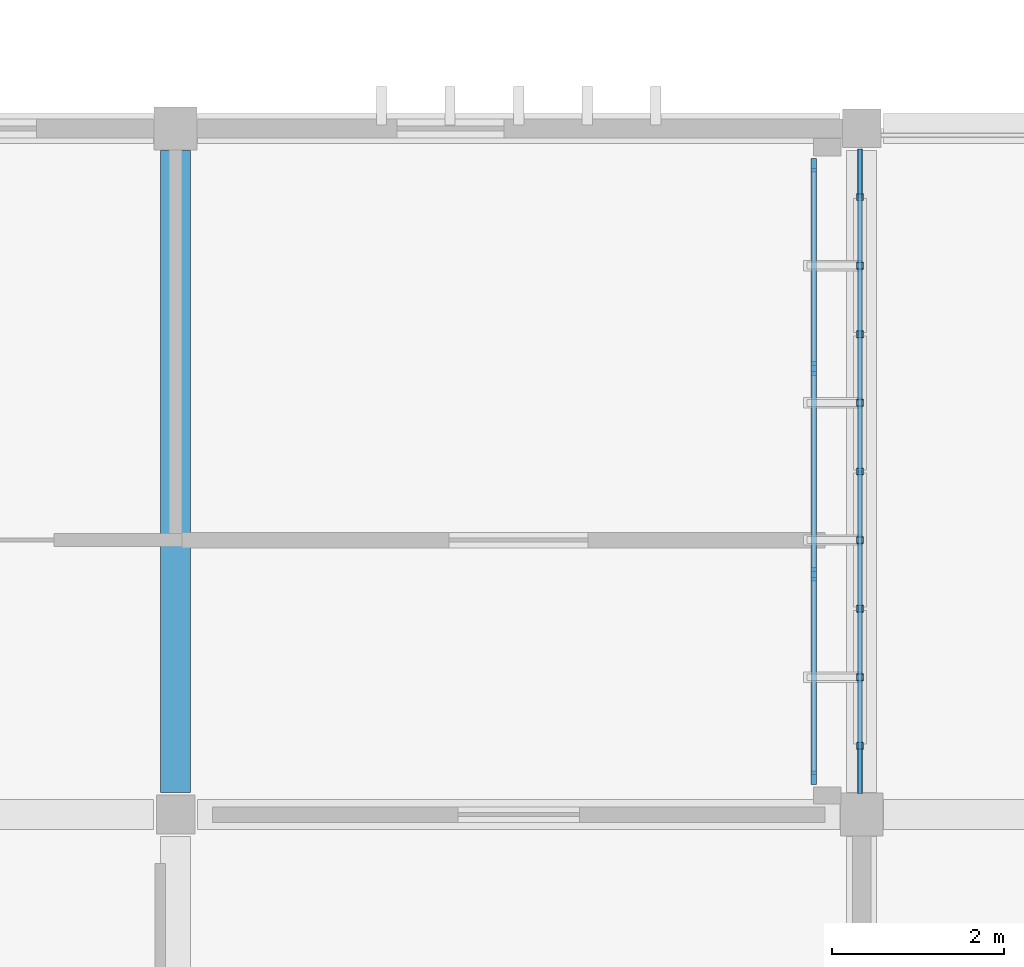
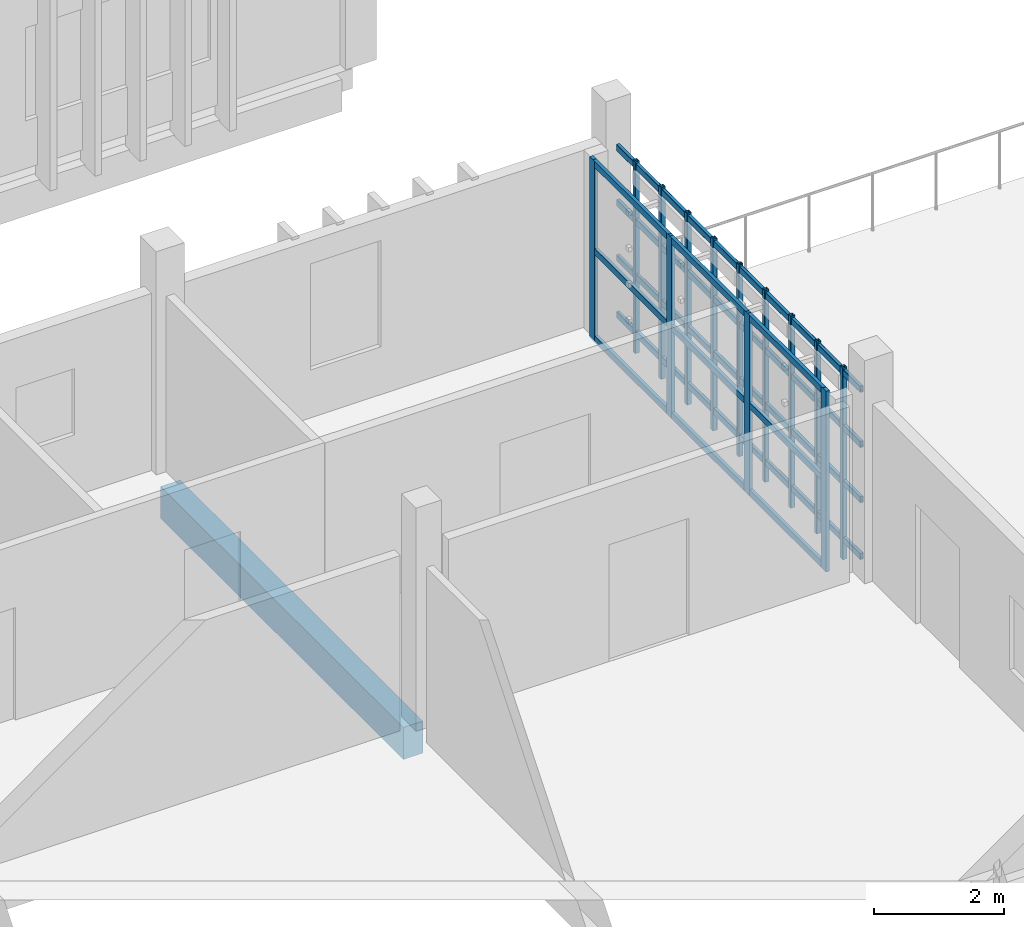
# One storey, part 12 of 32: 26 members, 1 beam, 1 element without a shape of its own.
"""IFC4 building model written with IfcOpenShell, lengths in metres."""

import ifcopenshell
import ifcopenshell.guid

model = None  # the IFC model being written
_history = None  # IfcOwnerHistory: only IFC2X3 demands one
_inside = {}  # id of a spatial element -> (the spatial element, [elements in it])
_under = {}  # id of a project, library or spatial element -> (it, [spatial elements below it])
_declared = {}  # id of a project -> (the project, [libraries it declares])
_typed = {}  # id of a type object -> (the type object, [elements of that type])
_made_of = {}  # id of a material, layer set ... -> (it, [elements and type objects made of it])


def new_model(schema):
    """Start an empty IFC model of exactly this schema.

    Asked for "IFC4X3", IfcOpenShell would pick the latest addendum, in which some entities
    have other attributes; the version numbers below select the first issue.
    IFC2X3 requires an IfcOwnerHistory on every rooted entity: one is made here for all.
    """
    global model, _history
    if schema == "IFC4X3":
        model = ifcopenshell.file(schema_version=(4, 3, 0, 0))
    else:
        model = ifcopenshell.file(schema=schema)
    _inside.clear()
    _under.clear()
    _declared.clear()
    _typed.clear()
    _made_of.clear()
    _history = None
    if model.schema == "IFC2X3":
        org = make("IfcOrganization", Name="unknown")
        user = make(
            "IfcPersonAndOrganization",
            ThePerson=make("IfcPerson", FamilyName="unknown"),
            TheOrganization=org,
        )
        app = make(
            "IfcApplication",
            ApplicationDeveloper=org,
            Version="unknown",
            ApplicationFullName="unknown",
            ApplicationIdentifier="unknown",
        )
        _history = make(
            "IfcOwnerHistory",
            OwningUser=user,
            OwningApplication=app,
            ChangeAction="ADDED",
            CreationDate=0,
        )
    return model


def make(cls, **values):
    """One entity of the class cls with the attributes given. An attribute that is None is left unset."""
    return model.create_entity(
        cls, **{name: value for name, value in values.items() if value is not None}
    )


def rooted(cls, **values):
    """An entity with a GlobalId (a new one), such as an element, a storey or a relation."""
    return make(cls, GlobalId=ifcopenshell.guid.new(), OwnerHistory=_history, **values)


def si_unit(unit_type, name, prefix=None):
    """IfcSIUnit, for example si_unit("LENGTHUNIT", "METRE", prefix="MILLI")."""
    return make("IfcSIUnit", UnitType=unit_type, Prefix=prefix, Name=name)


def assignment(units):
    """IfcUnitAssignment: the units of a project."""
    return None if units is None else make("IfcUnitAssignment", Units=units)


def point(xyz):
    """IfcCartesianPoint."""
    return None if xyz is None else make("IfcCartesianPoint", Coordinates=xyz)


def direction(xyz):
    """IfcDirection."""
    return None if xyz is None else make("IfcDirection", DirectionRatios=xyz)


def frame(location, z_axis=None, x_axis=None):
    """IfcAxis2Placement3D, a coordinate frame: its origin and axes. An axis left out is left unset."""
    return make(
        "IfcAxis2Placement3D",
        Location=point(location),
        Axis=direction(z_axis),
        RefDirection=direction(x_axis),
    )


def frame_2d(location, x_axis=None):
    """IfcAxis2Placement2D, a coordinate frame in the plane: its origin and x axis."""
    return make(
        "IfcAxis2Placement2D", Location=point(location), RefDirection=direction(x_axis)
    )


def origin():
    """The frame at (0, 0, 0) with its axes left unset."""
    return frame((0.0, 0.0, 0.0))


def origin_2d():
    """The frame at (0, 0) in the plane with its x axis left unset."""
    return frame_2d((0.0, 0.0))


def place(relative_to, where):
    """IfcLocalPlacement: puts the frame where relative to a parent placement (None: the world)."""
    return make(
        "IfcLocalPlacement", PlacementRelTo=relative_to, RelativePlacement=where
    )


def context(
    kind, dimensions, precision=None, world=None, true_north=None, identifier=None
):
    """IfcGeometricRepresentationContext, for example the 3D "Model" context."""
    return make(
        "IfcGeometricRepresentationContext",
        ContextIdentifier=identifier,
        ContextType=kind,
        CoordinateSpaceDimension=dimensions,
        Precision=precision,
        WorldCoordinateSystem=world,
        TrueNorth=true_north,
    )


def subcontext(parent, identifier, kind, view, scale=None):
    """IfcGeometricRepresentationSubContext, for example "Body" below "Model"."""
    return make(
        "IfcGeometricRepresentationSubContext",
        ContextIdentifier=identifier,
        ContextType=kind,
        ParentContext=parent,
        TargetScale=scale,
        TargetView=view,
    )


def project(units=None, contexts=None):
    """IfcProject with its units and contexts."""
    return rooted(
        "IfcProject",
        Name="project",
        RepresentationContexts=contexts,
        UnitsInContext=assignment(units),
    )


def spatial(cls, under=None, at=None, **own):
    """A site, building, storey or space (cls), placed at a placement, below another one or the project."""
    s = rooted(cls, ObjectPlacement=at, **own)
    if under is not None:
        _under.setdefault(under.id(), (under, []))[1].append(s)
    return s


def profile(cls, at=None, kind="AREA", **sizes):
    """A parametric profile (cls). Its sizes go by their IFC names, for example OverallWidth=200.0."""
    return make(cls, ProfileType=kind, Position=at, **sizes)


def rectangle(**sizes):
    """IfcRectangleProfileDef."""
    return profile("IfcRectangleProfileDef", **sizes)


def hollow_rectangle(**sizes):
    """IfcRectangleHollowProfileDef."""
    return profile("IfcRectangleHollowProfileDef", **sizes)


def extrude(swept, where, along, depth):
    """IfcExtrudedAreaSolid: the profile swept, set in the frame where, extruded along a direction by depth."""
    return make(
        "IfcExtrudedAreaSolid",
        SweptArea=swept,
        Position=where,
        ExtrudedDirection=direction(along),
        Depth=depth,
    )


def shape(context_of_items, identifier, shape_type, items):
    """IfcShapeRepresentation: the items that make up one representation, for example the "Body"."""
    return make(
        "IfcShapeRepresentation",
        ContextOfItems=context_of_items,
        RepresentationIdentifier=identifier,
        RepresentationType=shape_type,
        Items=items,
    )


def material(Name=None, Category=None):
    """IfcMaterial."""
    return make("IfcMaterial", Name=Name, Category=Category)


def layer(
    of_material, thickness, ventilated=None, Name=None, Category=None, Priority=None
):
    """IfcMaterialLayer: one layer of a wall or slab, of a material (None: an air gap)."""
    return make(
        "IfcMaterialLayer",
        Material=of_material,
        LayerThickness=thickness,
        IsVentilated=ventilated,
        Name=Name,
        Category=Category,
        Priority=Priority,
    )


def layer_set(layers, Name=None):
    """IfcMaterialLayerSet."""
    return make("IfcMaterialLayerSet", MaterialLayers=layers, LayerSetName=Name)


def material_profile(
    of_material, cross_section, Name=None, Category=None, Priority=None
):
    """IfcMaterialProfile: a cross section and its material."""
    return make(
        "IfcMaterialProfile",
        Name=Name,
        Material=of_material,
        Profile=cross_section,
        Priority=Priority,
        Category=Category,
    )


def profile_set(profiles, Name=None, composite=None):
    """IfcMaterialProfileSet."""
    return make(
        "IfcMaterialProfileSet",
        Name=Name,
        MaterialProfiles=profiles,
        CompositeProfile=composite,
    )


def made_of(thing, what):
    """Note that an element or type object is made of a material, layer set ...; save() writes the relation."""
    if what is not None:
        _made_of.setdefault(what.id(), (what, []))[1].append(thing)
    return thing


def type_object(cls, material=None, **own):
    """A type object (cls), such as IfcWallType, which elements share."""
    return made_of(rooted(cls, **own), material)


def element(
    cls,
    number,
    at=None,
    inside=None,
    cuts=None,
    type_object=None,
    material=None,
    context=None,
    identifier="Body",
    shape_type=None,
    held_by="IfcProductDefinitionShape",
    body=None,
    shapes=None,
    **own,
):
    """One element of the class cls, such as IfcWall. Its Tag is "e" and its number.

    at: its placement. inside: the storey or other place that contains it. cuts: it is an
    opening in that element (IfcRelVoidsElement). A single representation is given by context,
    identifier, shape_type and body (its items); several are given by shapes. held_by: the class
    of the entity that holds the representations. save() writes the other relations.
    """
    e = rooted(cls, Tag="e%d" % number, ObjectPlacement=at, **own)
    if body is not None:
        shapes = [shape(context, identifier, shape_type, body)]
    if shapes is not None:
        e.Representation = make(held_by, Representations=shapes)
    if inside is not None:
        _inside.setdefault(inside.id(), (inside, []))[1].append(e)
    if cuts is not None:
        rooted(
            "IfcRelVoidsElement", RelatingBuildingElement=cuts, RelatedOpeningElement=e
        )
    if type_object is not None:
        _typed.setdefault(type_object.id(), (type_object, []))[1].append(e)
    return made_of(e, material)


def aggregate(whole, parts):
    """IfcRelAggregates: a whole, such as a stair, and the parts it consists of."""
    return rooted("IfcRelAggregates", RelatingObject=whole, RelatedObjects=parts)


def save(model, path):
    """Write the relations noted so far, then the file.

    IfcRelAggregates (storeys below a building ...), IfcRelContainedInSpatialStructure (elements
    in a storey), IfcRelDefinesByType, IfcRelAssociatesMaterial and IfcRelDeclares: one each for
    every whole, place, type object, material and project.
    """
    for whole, parts in _under.values():
        aggregate(whole, parts)
    for where, things in _inside.values():
        rooted(
            "IfcRelContainedInSpatialStructure",
            RelatedElements=things,
            RelatingStructure=where,
        )
    for kind, things in _typed.values():
        rooted("IfcRelDefinesByType", RelatedObjects=things, RelatingType=kind)
    for what, things in _made_of.values():
        rooted("IfcRelAssociatesMaterial", RelatedObjects=things, RelatingMaterial=what)
    for by, libraries in _declared.values():
        rooted("IfcRelDeclares", RelatingContext=by, RelatedDefinitions=libraries)
    model.write(path)


model = new_model("IFC4")

# Units and contexts
model_context = context("Model", 3, precision=1e-05, world=origin(), true_north=direction((0.0, 1.0)))
body_context = subcontext(model_context, "Body", "Model", "MODEL_VIEW")
ifc_project = project(units=[si_unit("LENGTHUNIT", "METRE"), si_unit("AREAUNIT", "SQUARE_METRE"), si_unit("VOLUMEUNIT", "CUBIC_METRE"), si_unit("PLANEANGLEUNIT", "RADIAN"), si_unit("MASSUNIT", "GRAM", prefix="KILO")], contexts=[model_context])

# Site, building, storey
site_placement = place(None, origin())
site = spatial("IfcSite", under=ifc_project, at=site_placement, CompositionType="ELEMENT")
building_placement = place(site_placement, origin())
building = spatial("IfcBuilding", under=site, at=building_placement, Name="Jelvoka-Kovrelna Polytechnic", CompositionType="ELEMENT")
storey_placement = place(building_placement, frame((0.0, 0.0, 26.39990234375)))
storey = spatial("IfcBuildingStorey", under=building, at=storey_placement, Name="L07", CompositionType="ELEMENT", Elevation=26.39990234375)

# Beam
ifc_material_1 = material(Name="Concrete C35/45", Category="concrete")
ifc_material_profile_1 = material_profile(ifc_material_1, rectangle(XDim=0.35009765625, YDim=0.60009765625, at=origin_2d()), Name="RC 350x600")
ifc_profile_set_1 = profile_set([ifc_material_profile_1], Name="Concrete C35/45")
beam_type = type_object("IfcBeamType", Name="Beam_RC_350x600", PredefinedType="BEAM", material=ifc_profile_set_1)
beam_placement = place(storey_placement, frame((176.0, 40.2548828125, -0.539794921875), z_axis=(0.0, 1.0, 0.0), x_axis=(-1.0, 0.0, 0.0)))
element("IfcBeam", 1, at=beam_placement, inside=storey, type_object=beam_type, Name="L07 beam 1824", PredefinedType="BEAM", context=body_context, shape_type="SweptSolid", body=[
    extrude(rectangle(XDim=0.35009765625, YDim=0.60009765625, at=origin_2d()), origin(), (0.0, 0.0, 1.0), 7.490234375),
])

# Members
ifc_material_2 = material(Name="Structural steel S355J2H", Category="steel")
ifc_material_profile_2 = material_profile(ifc_material_2, hollow_rectangle(XDim=0.06005859375, YDim=0.1201171875, WallThickness=0.0048828125, InnerFilletRadius=0.0048828125, OuterFilletRadius=0.007568359375, at=origin_2d()), Name="120x60x5.0 RHS")
ifc_profile_set_2 = profile_set([ifc_material_profile_2], Name="Structural steel S355J2H")
member_type_1 = type_object("IfcMemberType", Name="Member_Strut_RHS120", PredefinedType="STRUT", material=ifc_profile_set_2)
for number, where, z_axis, x_axis, name in (
    (2, (183.97998046875, 40.239990234375, 0.14013671875), (0.0, 1.0, 0.0), (-1.0, 0.0, 0.0), "L07 terracotta screen horizontal strut 0612"),
    (3, (183.97998046875, 40.239990234375, 1.211181640625), (0.0, 1.0, 0.0), (-1.0, 0.0, 0.0), "L07 terracotta screen horizontal strut 0613"),
    (4, (183.97998046875, 40.239990234375, 2.25048828125), (0.0, 1.0, 0.0), (-1.0, 0.0, 0.0), "L07 terracotta screen horizontal strut 0614"),
    (5, (183.97998046875, 40.239990234375, 3.2900390625), (0.0, 1.0, 0.0), (-1.0, 0.0, 0.0), "L07 terracotta screen horizontal strut 0615"),
):
    element("IfcMember", number, at=place(storey_placement, frame(where, z_axis=z_axis, x_axis=x_axis)), inside=storey, type_object=member_type_1, Name=name, PredefinedType="STRUT", context=body_context, shape_type="SweptSolid", body=[
        extrude(hollow_rectangle(XDim=0.06005859375, YDim=0.1201171875, WallThickness=0.0048828125, InnerFilletRadius=0.0048828125, OuterFilletRadius=0.007568359375, at=origin_2d()), origin(), (0.0, 0.0, 1.0), 7.52001953125),
    ])
ifc_material_3 = material(Name="Structural steel S355J2H", Category="steel")
ifc_material_profile_3 = material_profile(ifc_material_3, hollow_rectangle(XDim=0.080078125, YDim=0.080078125, WallThickness=0.0048828125, InnerFilletRadius=0.0048828125, OuterFilletRadius=0.007568359375, at=origin_2d()), Name="80x80x5.0 SHS")
ifc_profile_set_3 = profile_set([ifc_material_profile_3], Name="Structural steel S355J2H")
member_type_2 = type_object("IfcMemberType", Name="Member_Strut_SHS80", PredefinedType="STRUT", material=ifc_profile_set_3)
for number, where, z_axis, x_axis, name in (
    (6, (183.97998046875, 40.800048828125, -0.22998046875), (0.0, 0.0, 1.0), (1.0, 0.0, 0.0), "L07 terracotta lattice vertical rib 0616"),
    (7, (183.97998046875, 41.60009765625, -0.22998046875), (0.0, 0.0, 1.0), (1.0, 0.0, 0.0), "L07 terracotta lattice vertical rib 0617"),
    (8, (183.97998046875, 42.39990234375, -0.22998046875), (0.0, 0.0, 1.0), (1.0, 0.0, 0.0), "L07 terracotta lattice vertical rib 0618"),
    (9, (183.97998046875, 43.199951171875, -0.22998046875), (0.0, 0.0, 1.0), (1.0, 0.0, 0.0), "L07 terracotta lattice vertical rib 0619"),
    (10, (183.97998046875, 44.0, -0.22998046875), (0.0, 0.0, 1.0), (1.0, 0.0, 0.0), "L07 terracotta lattice vertical rib 0620"),
    (11, (183.97998046875, 44.800048828125, -0.22998046875), (0.0, 0.0, 1.0), (1.0, 0.0, 0.0), "L07 terracotta lattice vertical rib 0621"),
    (12, (183.97998046875, 45.60009765625, -0.22998046875), (0.0, 0.0, 1.0), (1.0, 0.0, 0.0), "L07 terracotta lattice vertical rib 0622"),
    (13, (183.97998046875, 46.39990234375, -0.22998046875), (0.0, 0.0, 1.0), (1.0, 0.0, 0.0), "L07 terracotta lattice vertical rib 0623"),
    (14, (183.97998046875, 47.199951171875, -0.22998046875), (0.0, 0.0, 1.0), (1.0, 0.0, 0.0), "L07 terracotta lattice vertical rib 0624"),
):
    element("IfcMember", number, at=place(storey_placement, frame(where, z_axis=z_axis, x_axis=x_axis)), inside=storey, type_object=member_type_2, Name=name, PredefinedType="STRUT", context=body_context, shape_type="SweptSolid", body=[
        extrude(hollow_rectangle(XDim=0.080078125, YDim=0.080078125, WallThickness=0.0048828125, InnerFilletRadius=0.0048828125, OuterFilletRadius=0.007568359375, at=origin_2d()), origin(), (0.0, 0.0, 1.0), 3.610107421875),
    ])

# Curtain wall, members
ifc_material_4 = material(Name="Anodised aluminium 6063-T6", Category="aluminium")
ifc_layer = layer(ifc_material_4, 0.159912109375)
ifc_layer_set = layer_set([ifc_layer], Name="Anodised aluminium 6063-T6")
curtain_wall_type = type_object("IfcCurtainWallType", Name="CW_Recessed_A", PredefinedType="NOTDEFINED", material=ifc_layer_set)
curtain_wall_placement = place(storey_placement, origin())
curtain_wall = element("IfcCurtainWall", 15, at=curtain_wall_placement, inside=storey, type_object=curtain_wall_type, Name="L07 glazed curtain wall 080", PredefinedType="NOTDEFINED")
ifc_material_5 = material(Name="Anodised aluminium 6063-T6", Category="aluminium")
ifc_material_profile_4 = material_profile(ifc_material_5, rectangle(XDim=0.06005859375, YDim=0.159912109375, at=origin_2d()), Name="ALU 60x160")
ifc_profile_set_4 = profile_set([ifc_material_profile_4], Name="Anodised aluminium 6063-T6")
member_type_3 = type_object("IfcMemberType", Name="Mullion_M-01", PredefinedType="MULLION", material=ifc_profile_set_4)
member_1_placement = place(storey_placement, frame((183.43994140625, 47.570068359375, -0.02490234375), z_axis=(0.0, 0.0, 1.0), x_axis=(1.0, 0.0, 0.0)))
member_1 = element("IfcMember", 16, at=member_1_placement, type_object=member_type_3, Name="CW-01 mullion 1", PredefinedType="MULLION", context=body_context, shape_type="SweptSolid", body=[
    extrude(rectangle(XDim=0.06005859375, YDim=0.159912109375, at=origin_2d()), origin(), (0.0, 0.0, 1.0), 3.400146484375),
])
member_2_placement = place(storey_placement, frame((183.43994140625, 45.199951171875, -0.02490234375), z_axis=(0.0, 0.0, 1.0), x_axis=(1.0, 0.0, 0.0)))
member_2 = element("IfcMember", 17, at=member_2_placement, type_object=member_type_3, Name="CW-01 mullion 2", PredefinedType="MULLION", context=body_context, shape_type="SweptSolid", body=[
    extrude(rectangle(XDim=0.06005859375, YDim=0.159912109375, at=origin_2d()), origin(), (0.0, 0.0, 1.0), 3.400146484375),
])
member_3_placement = place(storey_placement, frame((183.43994140625, 42.800048828125, -0.02490234375), z_axis=(0.0, 0.0, 1.0), x_axis=(1.0, 0.0, 0.0)))
member_3 = element("IfcMember", 18, at=member_3_placement, type_object=member_type_3, Name="CW-01 mullion 3", PredefinedType="MULLION", context=body_context, shape_type="SweptSolid", body=[
    extrude(rectangle(XDim=0.06005859375, YDim=0.159912109375, at=origin_2d()), origin(), (0.0, 0.0, 1.0), 3.400146484375),
])
member_4_placement = place(storey_placement, frame((183.43994140625, 40.429931640625, -0.02490234375), z_axis=(0.0, 0.0, 1.0), x_axis=(1.0, 0.0, 0.0)))
member_4 = element("IfcMember", 19, at=member_4_placement, type_object=member_type_3, Name="CW-01 mullion 4", PredefinedType="MULLION", context=body_context, shape_type="SweptSolid", body=[
    extrude(rectangle(XDim=0.06005859375, YDim=0.159912109375, at=origin_2d()), origin(), (0.0, 0.0, 1.0), 3.400146484375),
])
ifc_material_6 = material(Name="Anodised aluminium 6063-T6", Category="aluminium")
ifc_material_profile_5 = material_profile(ifc_material_6, rectangle(XDim=0.06005859375, YDim=0.1201171875, at=origin_2d()), Name="ALU 60x120")
ifc_profile_set_5 = profile_set([ifc_material_profile_5], Name="Anodised aluminium 6063-T6")
member_type_4 = type_object("IfcMemberType", Name="Transom_T-01", PredefinedType="USERDEFINED", material=ifc_profile_set_5)
member_5_placement = place(storey_placement, frame((183.43994140625, 47.5400390625, 0.030029296875), z_axis=(0.0, -1.0, 0.0), x_axis=(1.0, 0.0, 0.0)))
member_5 = element("IfcMember", 20, at=member_5_placement, type_object=member_type_4, Name="CW-01 transom 1.1", ObjectType="TRANSOM", PredefinedType="USERDEFINED", context=body_context, shape_type="SweptSolid", body=[
    extrude(rectangle(XDim=0.06005859375, YDim=0.1201171875, at=origin_2d()), origin(), (0.0, 0.0, 1.0), 2.31005859375),
])
member_6_placement = place(storey_placement, frame((183.43994140625, 47.5400390625, 1.675048828125), z_axis=(0.0, -1.0, 0.0), x_axis=(1.0, 0.0, 0.0)))
member_6 = element("IfcMember", 21, at=member_6_placement, type_object=member_type_4, Name="CW-01 transom 1.2", ObjectType="TRANSOM", PredefinedType="USERDEFINED", context=body_context, shape_type="SweptSolid", body=[
    extrude(rectangle(XDim=0.06005859375, YDim=0.1201171875, at=origin_2d()), origin(), (0.0, 0.0, 1.0), 2.31005859375),
])
member_7_placement = place(storey_placement, frame((183.43994140625, 47.5400390625, 3.320068359375), z_axis=(0.0, -1.0, 0.0), x_axis=(1.0, 0.0, 0.0)))
member_7 = element("IfcMember", 22, at=member_7_placement, type_object=member_type_4, Name="CW-01 transom 1.3", ObjectType="TRANSOM", PredefinedType="USERDEFINED", context=body_context, shape_type="SweptSolid", body=[
    extrude(rectangle(XDim=0.06005859375, YDim=0.1201171875, at=origin_2d()), origin(), (0.0, 0.0, 1.0), 2.31005859375),
])
member_8_placement = place(storey_placement, frame((183.43994140625, 45.169921875, 0.030029296875), z_axis=(0.0, -1.0, 0.0), x_axis=(1.0, 0.0, 0.0)))
member_8 = element("IfcMember", 23, at=member_8_placement, type_object=member_type_4, Name="CW-01 transom 2.1", ObjectType="TRANSOM", PredefinedType="USERDEFINED", context=body_context, shape_type="SweptSolid", body=[
    extrude(rectangle(XDim=0.06005859375, YDim=0.1201171875, at=origin_2d()), origin(), (0.0, 0.0, 1.0), 2.33984375),
])
member_9_placement = place(storey_placement, frame((183.43994140625, 45.169921875, 1.675048828125), z_axis=(0.0, -1.0, 0.0), x_axis=(1.0, 0.0, 0.0)))
member_9 = element("IfcMember", 24, at=member_9_placement, type_object=member_type_4, Name="CW-01 transom 2.2", ObjectType="TRANSOM", PredefinedType="USERDEFINED", context=body_context, shape_type="SweptSolid", body=[
    extrude(rectangle(XDim=0.06005859375, YDim=0.1201171875, at=origin_2d()), origin(), (0.0, 0.0, 1.0), 2.33984375),
])
member_10_placement = place(storey_placement, frame((183.43994140625, 45.169921875, 3.320068359375), z_axis=(0.0, -1.0, 0.0), x_axis=(1.0, 0.0, 0.0)))
member_10 = element("IfcMember", 25, at=member_10_placement, type_object=member_type_4, Name="CW-01 transom 2.3", ObjectType="TRANSOM", PredefinedType="USERDEFINED", context=body_context, shape_type="SweptSolid", body=[
    extrude(rectangle(XDim=0.06005859375, YDim=0.1201171875, at=origin_2d()), origin(), (0.0, 0.0, 1.0), 2.33984375),
])
member_11_placement = place(storey_placement, frame((183.43994140625, 42.77001953125, 0.030029296875), z_axis=(0.0, -1.0, 0.0), x_axis=(1.0, 0.0, 0.0)))
member_11 = element("IfcMember", 26, at=member_11_placement, type_object=member_type_4, Name="CW-01 transom 3.1", ObjectType="TRANSOM", PredefinedType="USERDEFINED", context=body_context, shape_type="SweptSolid", body=[
    extrude(rectangle(XDim=0.06005859375, YDim=0.1201171875, at=origin_2d()), origin(), (0.0, 0.0, 1.0), 2.31005859375),
])
member_12_placement = place(storey_placement, frame((183.43994140625, 42.77001953125, 1.675048828125), z_axis=(0.0, -1.0, 0.0), x_axis=(1.0, 0.0, 0.0)))
member_12 = element("IfcMember", 27, at=member_12_placement, type_object=member_type_4, Name="CW-01 transom 3.2", ObjectType="TRANSOM", PredefinedType="USERDEFINED", context=body_context, shape_type="SweptSolid", body=[
    extrude(rectangle(XDim=0.06005859375, YDim=0.1201171875, at=origin_2d()), origin(), (0.0, 0.0, 1.0), 2.31005859375),
])
member_13_placement = place(storey_placement, frame((183.43994140625, 42.77001953125, 3.320068359375), z_axis=(0.0, -1.0, 0.0), x_axis=(1.0, 0.0, 0.0)))
member_13 = element("IfcMember", 28, at=member_13_placement, type_object=member_type_4, Name="CW-01 transom 3.3", ObjectType="TRANSOM", PredefinedType="USERDEFINED", context=body_context, shape_type="SweptSolid", body=[
    extrude(rectangle(XDim=0.06005859375, YDim=0.1201171875, at=origin_2d()), origin(), (0.0, 0.0, 1.0), 2.31005859375),
])
aggregate(curtain_wall, [member_1, member_2, member_3, member_4, member_5, member_6, member_7, member_8, member_9, member_10, member_11, member_12, member_13])

save(model, "model.ifc")
